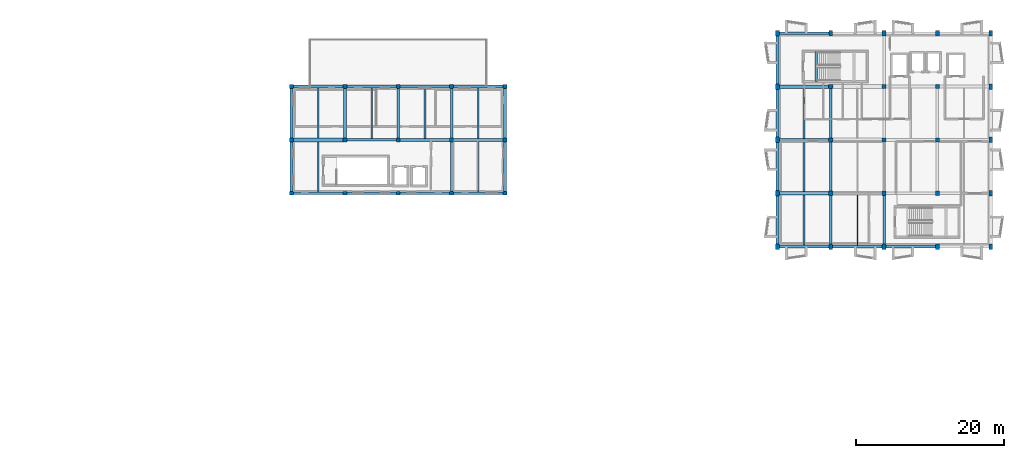
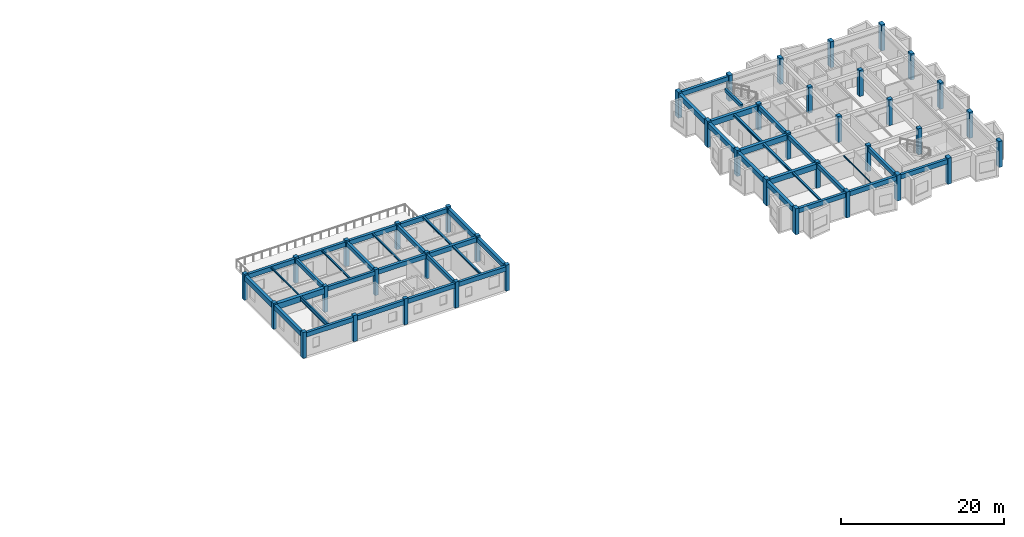
# One storey, part 1 of 12: 46 beams, 40 columns.
"""IFC4 building model written with IfcOpenShell, lengths in metres."""

from ifc_helpers import new_model, si_unit, direction, frame, origin, origin_2d, place, context, subcontext, project, spatial, rectangle, i_section, extrude, material, material_profile, profile_set, type_object, element, save


model = new_model("IFC4")

# Units and contexts
model_context = context("Model", 3, precision=1e-05, world=origin(), true_north=direction((0.0, 1.0)))
body_context = subcontext(model_context, "Body", "Model", "MODEL_VIEW")
ifc_project = project(units=[si_unit("LENGTHUNIT", "METRE"), si_unit("AREAUNIT", "SQUARE_METRE"), si_unit("VOLUMEUNIT", "CUBIC_METRE"), si_unit("PLANEANGLEUNIT", "RADIAN"), si_unit("MASSUNIT", "GRAM", prefix="KILO")], contexts=[model_context])

# Site, building, storey
site_placement = place(None, origin())
site = spatial("IfcSite", under=ifc_project, at=site_placement, CompositionType="ELEMENT")
building_placement = place(site_placement, origin())
building = spatial("IfcBuilding", under=site, at=building_placement, Name="Bramveld Media Centre", CompositionType="ELEMENT")
storey_placement = place(building_placement, frame((0.0, 0.0, 21.89990234375)))
storey = spatial("IfcBuildingStorey", under=building, at=storey_placement, Name="L05", CompositionType="ELEMENT", Elevation=21.89990234375)

# Columns
ifc_material_1 = material(Name="Concrete C40/50", Category="concrete")
ifc_material_profile_1 = material_profile(ifc_material_1, rectangle(XDim=0.5, YDim=0.75, at=origin_2d()), Name="RC 500x750")
ifc_profile_set_1 = profile_set([ifc_material_profile_1], Name="Concrete C40/50")
column_type_1 = type_object("IfcColumnType", Name="COL-EXT-RC-500x750", PredefinedType="COLUMN", material=ifc_profile_set_1)
for number, where, z_axis, x_axis, name in (
    (1, (131.199951171875, 83.199951171875, 0.0), (0.0, 0.0, 1.0), (1.0, 0.0, 0.0), "V7 L05 column RC 500x750"),
    (2, (131.199951171875, 90.39990234375, 0.0), (0.0, 0.0, 1.0), (1.0, 0.0, 0.0), "V7 L05 column RC 500x750"),
    (3, (131.199951171875, 97.60009765625, 0.0), (0.0, 0.0, 1.0), (1.0, 0.0, 0.0), "V7 L05 column RC 500x750"),
    (4, (131.199951171875, 104.800048828125, 0.0), (0.0, 0.0, 1.0), (1.0, 0.0, 0.0), "V7 L05 column RC 500x750"),
    (5, (131.199951171875, 112.0, 0.0), (0.0, 0.0, 1.0), (1.0, 0.0, 0.0), "V7 L05 column RC 500x750"),
    (6, (138.39990234375, 83.199951171875, 0.0), (0.0, 0.0, 1.0), (1.0, 0.0, 0.0), "V7 L05 column RC 500x750"),
    (7, (138.39990234375, 112.0, 0.0), (0.0, 0.0, 1.0), (1.0, 0.0, 0.0), "V7 L05 column RC 500x750"),
    (8, (145.60009765625, 83.199951171875, 0.0), (0.0, 0.0, 1.0), (1.0, 0.0, 0.0), "V7 L05 column RC 500x750"),
    (9, (145.60009765625, 112.0, 0.0), (0.0, 0.0, 1.0), (1.0, 0.0, 0.0), "V7 L05 column RC 500x750"),
    (10, (152.800048828125, 83.199951171875, 0.0), (0.0, 0.0, 1.0), (1.0, 0.0, 0.0), "V7 L05 column RC 500x750"),
    (11, (152.800048828125, 112.0, 0.0), (0.0, 0.0, 1.0), (1.0, 0.0, 0.0), "V7 L05 column RC 500x750"),
    (12, (160.0, 83.199951171875, 0.0), (0.0, 0.0, 1.0), (1.0, 0.0, 0.0), "V7 L05 column RC 500x750"),
    (13, (160.0, 90.39990234375, 0.0), (0.0, 0.0, 1.0), (1.0, 0.0, 0.0), "V7 L05 column RC 500x750"),
    (14, (160.0, 97.60009765625, 0.0), (0.0, 0.0, 1.0), (1.0, 0.0, 0.0), "V7 L05 column RC 500x750"),
    (15, (160.0, 104.800048828125, 0.0), (0.0, 0.0, 1.0), (1.0, 0.0, 0.0), "V7 L05 column RC 500x750"),
    (16, (160.0, 112.0, 0.0), (0.0, 0.0, 1.0), (1.0, 0.0, 0.0), "V7 L05 column RC 500x750"),
):
    element("IfcColumn", number, at=place(storey_placement, frame(where, z_axis=z_axis, x_axis=x_axis)), inside=storey, type_object=column_type_1, Name=name, PredefinedType="COLUMN", context=body_context, shape_type="SweptSolid", body=[
        extrude(rectangle(XDim=0.5, YDim=0.75, at=origin_2d()), origin(), (0.0, 0.0, 1.0), 3.900146484375),
    ])
ifc_material_2 = material(Name="Concrete C40/50", Category="concrete")
ifc_material_profile_2 = material_profile(ifc_material_2, rectangle(XDim=0.52001953125, YDim=0.52001953125, at=origin_2d()), Name="RC 520x520")
ifc_profile_set_2 = profile_set([ifc_material_profile_2], Name="Concrete C40/50")
column_type_2 = type_object("IfcColumnType", Name="COL-EXT-RC-520x520", PredefinedType="COLUMN", material=ifc_profile_set_2)
for number, where, z_axis, x_axis, name in (
    (17, (65.60009765625, 90.39990234375, 0.0), (0.0, 0.0, 1.0), (1.0, 0.0, 0.0), "V6 L05 column RC 520x520"),
    (18, (65.60009765625, 97.60009765625, 0.0), (0.0, 0.0, 1.0), (1.0, 0.0, 0.0), "V6 L05 column RC 520x520"),
    (19, (65.60009765625, 104.800048828125, 0.0), (0.0, 0.0, 1.0), (1.0, 0.0, 0.0), "V6 L05 column RC 520x520"),
    (20, (72.800048828125, 90.39990234375, 0.0), (0.0, 0.0, 1.0), (1.0, 0.0, 0.0), "V6 L05 column RC 520x520"),
    (21, (72.800048828125, 104.800048828125, 0.0), (0.0, 0.0, 1.0), (1.0, 0.0, 0.0), "V6 L05 column RC 520x520"),
    (22, (80.0, 90.39990234375, 0.0), (0.0, 0.0, 1.0), (1.0, 0.0, 0.0), "V6 L05 column RC 520x520"),
    (23, (80.0, 104.800048828125, 0.0), (0.0, 0.0, 1.0), (1.0, 0.0, 0.0), "V6 L05 column RC 520x520"),
    (24, (87.199951171875, 90.39990234375, 0.0), (0.0, 0.0, 1.0), (1.0, 0.0, 0.0), "V6 L05 column RC 520x520"),
    (25, (87.199951171875, 104.800048828125, 0.0), (0.0, 0.0, 1.0), (1.0, 0.0, 0.0), "V6 L05 column RC 520x520"),
    (26, (94.39990234375, 90.39990234375, 0.0), (0.0, 0.0, 1.0), (1.0, 0.0, 0.0), "V6 L05 column RC 520x520"),
    (27, (94.39990234375, 97.60009765625, 0.0), (0.0, 0.0, 1.0), (1.0, 0.0, 0.0), "V6 L05 column RC 520x520"),
    (28, (94.39990234375, 104.800048828125, 0.0), (0.0, 0.0, 1.0), (1.0, 0.0, 0.0), "V6 L05 column RC 520x520"),
):
    element("IfcColumn", number, at=place(storey_placement, frame(where, z_axis=z_axis, x_axis=x_axis)), inside=storey, type_object=column_type_2, Name=name, PredefinedType="COLUMN", context=body_context, shape_type="SweptSolid", body=[
        extrude(rectangle(XDim=0.52001953125, YDim=0.52001953125, at=origin_2d()), origin(), (0.0, 0.0, 1.0), 3.900146484375),
    ])
ifc_material_3 = material(Name="Concrete C40/50", Category="concrete")
ifc_material_profile_3 = material_profile(ifc_material_3, rectangle(XDim=0.5, YDim=0.5, at=origin_2d()), Name="RC 500x500")
ifc_profile_set_3 = profile_set([ifc_material_profile_3], Name="Concrete C40/50")
column_type_3 = type_object("IfcColumnType", Name="COL-INT-RC-500x500", PredefinedType="COLUMN", material=ifc_profile_set_3)
for number, where, z_axis, x_axis, name in (
    (29, (72.800048828125, 97.60009765625, 0.0), (0.0, 0.0, 1.0), (1.0, 0.0, 0.0), "V6 L05 column RC 500x500"),
    (30, (80.0, 97.60009765625, 0.0), (0.0, 0.0, 1.0), (1.0, 0.0, 0.0), "V6 L05 column RC 500x500"),
    (31, (87.199951171875, 97.60009765625, 0.0), (0.0, 0.0, 1.0), (1.0, 0.0, 0.0), "V6 L05 column RC 500x500"),
):
    element("IfcColumn", number, at=place(storey_placement, frame(where, z_axis=z_axis, x_axis=x_axis)), inside=storey, type_object=column_type_3, Name=name, PredefinedType="COLUMN", context=body_context, shape_type="SweptSolid", body=[
        extrude(rectangle(XDim=0.5, YDim=0.5, at=origin_2d()), origin(), (0.0, 0.0, 1.0), 3.900146484375),
    ])
ifc_material_4 = material(Name="Concrete C40/50", Category="concrete")
ifc_material_profile_4 = material_profile(ifc_material_4, rectangle(XDim=0.550048828125, YDim=0.550048828125, at=origin_2d()), Name="RC 550x550")
ifc_profile_set_4 = profile_set([ifc_material_profile_4], Name="Concrete C40/50")
column_type_4 = type_object("IfcColumnType", Name="COL-INT-RC-550x550", PredefinedType="COLUMN", material=ifc_profile_set_4)
for number, where, z_axis, x_axis, name in (
    (32, (138.39990234375, 90.39990234375, 0.0), (0.0, 0.0, 1.0), (1.0, 0.0, 0.0), "V7 L05 column RC 550x550"),
    (33, (138.39990234375, 97.60009765625, 0.0), (0.0, 0.0, 1.0), (1.0, 0.0, 0.0), "V7 L05 column RC 550x550"),
    (34, (138.39990234375, 104.800048828125, 0.0), (0.0, 0.0, 1.0), (1.0, 0.0, 0.0), "V7 L05 column RC 550x550"),
    (35, (145.60009765625, 90.39990234375, 0.0), (0.0, 0.0, 1.0), (1.0, 0.0, 0.0), "V7 L05 column RC 550x550"),
    (36, (145.60009765625, 97.60009765625, 0.0), (0.0, 0.0, 1.0), (1.0, 0.0, 0.0), "V7 L05 column RC 550x550"),
    (37, (145.60009765625, 104.800048828125, 0.0), (0.0, 0.0, 1.0), (1.0, 0.0, 0.0), "V7 L05 column RC 550x550"),
    (38, (152.800048828125, 90.39990234375, 0.0), (0.0, 0.0, 1.0), (1.0, 0.0, 0.0), "V7 L05 column RC 550x550"),
    (39, (152.800048828125, 97.60009765625, 0.0), (0.0, 0.0, 1.0), (1.0, 0.0, 0.0), "V7 L05 column RC 550x550"),
    (40, (152.800048828125, 104.800048828125, 0.0), (0.0, 0.0, 1.0), (1.0, 0.0, 0.0), "V7 L05 column RC 550x550"),
):
    element("IfcColumn", number, at=place(storey_placement, frame(where, z_axis=z_axis, x_axis=x_axis)), inside=storey, type_object=column_type_4, Name=name, PredefinedType="COLUMN", context=body_context, shape_type="SweptSolid", body=[
        extrude(rectangle(XDim=0.550048828125, YDim=0.550048828125, at=origin_2d()), origin(), (0.0, 0.0, 1.0), 3.900146484375),
    ])

# Beams
ifc_material_5 = material(Name="Concrete C40/50", Category="concrete")
ifc_material_profile_5 = material_profile(ifc_material_5, rectangle(XDim=0.300048828125, YDim=0.5, at=origin_2d()), Name="RC 300x500")
ifc_profile_set_5 = profile_set([ifc_material_profile_5], Name="Concrete C40/50")
beam_type_1 = type_object("IfcBeamType", Name="BM-INT-RC-300x500", PredefinedType="BEAM", material=ifc_profile_set_5)
beam_1_placement = place(storey_placement, frame((136.449951171875, 105.5, 3.650146484375), z_axis=(0.0, 1.0, 0.0), x_axis=(-1.0, 0.0, 0.0)))
element("IfcBeam", 41, at=beam_1_placement, inside=storey, type_object=beam_type_1, Name="ST-01 L06 stairwell landing trimmer beam", PredefinedType="BEAM", context=body_context, shape_type="SweptSolid", body=[
    extrude(rectangle(XDim=0.300048828125, YDim=0.5, at=origin_2d()), origin(), (0.0, 0.0, 1.0), 4.050048828125),
])
ifc_material_6 = material(Name="Concrete C40/50", Category="concrete")
ifc_material_profile_6 = material_profile(ifc_material_6, rectangle(XDim=0.35009765625, YDim=0.60009765625, at=origin_2d()), Name="RC 350x600")
ifc_profile_set_6 = profile_set([ifc_material_profile_6], Name="Concrete C40/50")
beam_type_2 = type_object("IfcBeamType", Name="BM-INT-RC-350x600", PredefinedType="BEAM", material=ifc_profile_set_6)
for number, where, z_axis, x_axis, name in (
    (42, (72.800048828125, 97.85009765625, 3.360107421875), (0.0, 1.0, 0.0), (-1.0, 0.0, 0.0), "V6 L05 girder Y-1230"),
    (43, (80.0, 97.85009765625, 3.360107421875), (0.0, 1.0, 0.0), (-1.0, 0.0, 0.0), "V6 L05 girder Y-1231"),
):
    element("IfcBeam", number, at=place(storey_placement, frame(where, z_axis=z_axis, x_axis=x_axis)), inside=storey, type_object=beam_type_2, Name=name, PredefinedType="BEAM", context=body_context, shape_type="SweptSolid", body=[
        extrude(rectangle(XDim=0.35009765625, YDim=0.60009765625, at=origin_2d()), origin(), (0.0, 0.0, 1.0), 6.68994140625),
    ])
beam_2_placement = place(storey_placement, frame((87.199951171875, 90.659912109375, 3.360107421875), z_axis=(0.0, 1.0, 0.0), x_axis=(-1.0, 0.0, 0.0)))
element("IfcBeam", 44, at=beam_2_placement, inside=storey, type_object=beam_type_2, Name="V6 L05 girder Y-1232", PredefinedType="BEAM", context=body_context, shape_type="SweptSolid", body=[
    extrude(rectangle(XDim=0.35009765625, YDim=0.60009765625, at=origin_2d()), origin(), (0.0, 0.0, 1.0), 6.690185546875),
])
beam_3_placement = place(storey_placement, frame((87.199951171875, 97.85009765625, 3.360107421875), z_axis=(0.0, 1.0, 0.0), x_axis=(-1.0, 0.0, 0.0)))
element("IfcBeam", 45, at=beam_3_placement, inside=storey, type_object=beam_type_2, Name="V6 L05 girder Y-1233", PredefinedType="BEAM", context=body_context, shape_type="SweptSolid", body=[
    extrude(rectangle(XDim=0.35009765625, YDim=0.60009765625, at=origin_2d()), origin(), (0.0, 0.0, 1.0), 6.68994140625),
])
beam_4_placement = place(storey_placement, frame((138.39990234375, 83.574951171875, 3.360107421875), z_axis=(0.0, 1.0, 0.0), x_axis=(-1.0, 0.0, 0.0)))
element("IfcBeam", 46, at=beam_4_placement, inside=storey, type_object=beam_type_2, Name="V7 L05 girder Y-1506", PredefinedType="BEAM", context=body_context, shape_type="SweptSolid", body=[
    extrude(rectangle(XDim=0.35009765625, YDim=0.60009765625, at=origin_2d()), origin(), (0.0, 0.0, 1.0), 6.550048828125),
])
for number, where, z_axis, x_axis, name in (
    (47, (138.39990234375, 90.675048828125, 3.360107421875), (0.0, 1.0, 0.0), (-1.0, 0.0, 0.0), "V7 L05 girder Y-1507"),
    (48, (138.39990234375, 97.875, 3.360107421875), (0.0, 1.0, 0.0), (-1.0, 0.0, 0.0), "V7 L05 girder Y-1508"),
):
    element("IfcBeam", number, at=place(storey_placement, frame(where, z_axis=z_axis, x_axis=x_axis)), inside=storey, type_object=beam_type_2, Name=name, PredefinedType="BEAM", context=body_context, shape_type="SweptSolid", body=[
        extrude(rectangle(XDim=0.35009765625, YDim=0.60009765625, at=origin_2d()), origin(), (0.0, 0.0, 1.0), 6.64990234375),
    ])
beam_5_placement = place(storey_placement, frame((145.60009765625, 83.574951171875, 3.360107421875), z_axis=(0.0, 1.0, 0.0), x_axis=(-1.0, 0.0, 0.0)))
element("IfcBeam", 49, at=beam_5_placement, inside=storey, type_object=beam_type_2, Name="V7 L05 girder Y-1509", PredefinedType="BEAM", context=body_context, shape_type="SweptSolid", body=[
    extrude(rectangle(XDim=0.35009765625, YDim=0.60009765625, at=origin_2d()), origin(), (0.0, 0.0, 1.0), 6.550048828125),
])
ifc_material_7 = material(Name="Concrete C40/50", Category="concrete")
ifc_material_profile_7 = material_profile(ifc_material_7, rectangle(XDim=0.35009765625, YDim=0.64990234375, at=origin_2d()), Name="RC 350x650")
ifc_profile_set_7 = profile_set([ifc_material_profile_7], Name="Concrete C40/50")
beam_type_3 = type_object("IfcBeamType", Name="BM-INT-RC-350x650", PredefinedType="BEAM", material=ifc_profile_set_7)
beam_6_placement = place(storey_placement, frame((73.050048828125, 97.60009765625, 3.335205078125), z_axis=(1.0, 0.0, 0.0), x_axis=(0.0, 1.0, 0.0)))
element("IfcBeam", 50, at=beam_6_placement, inside=storey, type_object=beam_type_3, Name="V6 L05 girder X-1221", PredefinedType="BEAM", context=body_context, shape_type="SweptSolid", body=[
    extrude(rectangle(XDim=0.35009765625, YDim=0.64990234375, at=origin_2d()), origin(), (0.0, 0.0, 1.0), 6.699951171875),
])
ifc_material_8 = material(Name="Concrete C40/50", Category="concrete")
ifc_material_profile_8 = material_profile(ifc_material_8, rectangle(XDim=0.39990234375, YDim=0.64990234375, at=origin_2d()), Name="RC 400x650")
ifc_profile_set_8 = profile_set([ifc_material_profile_8], Name="Concrete C40/50")
beam_type_4 = type_object("IfcBeamType", Name="BM-INT-RC-400x650", PredefinedType="BEAM", material=ifc_profile_set_8)
beam_7_placement = place(storey_placement, frame((80.25, 97.60009765625, 3.335205078125), z_axis=(1.0, 0.0, 0.0), x_axis=(0.0, 1.0, 0.0)))
element("IfcBeam", 51, at=beam_7_placement, inside=storey, type_object=beam_type_4, Name="V6 L05 girder X-1222", PredefinedType="BEAM", context=body_context, shape_type="SweptSolid", body=[
    extrude(rectangle(XDim=0.39990234375, YDim=0.64990234375, at=origin_2d()), origin(), (0.0, 0.0, 1.0), 6.699951171875),
])
ifc_material_9 = material(Name="Concrete C40/50", Category="concrete")
ifc_material_profile_9 = material_profile(ifc_material_9, rectangle(XDim=0.39990234375, YDim=0.699951171875, at=origin_2d()), Name="RC 400x700")
ifc_profile_set_9 = profile_set([ifc_material_profile_9], Name="Concrete C40/50")
beam_type_5 = type_object("IfcBeamType", Name="BM-INT-RC-400x700", PredefinedType="BEAM", material=ifc_profile_set_9)
beam_8_placement = place(storey_placement, frame((87.449951171875, 97.60009765625, 3.31005859375), z_axis=(1.0, 0.0, 0.0), x_axis=(0.0, 1.0, 0.0)))
element("IfcBeam", 52, at=beam_8_placement, inside=storey, type_object=beam_type_5, Name="V6 L05 girder X-1223", PredefinedType="BEAM", context=body_context, shape_type="SweptSolid", body=[
    extrude(rectangle(XDim=0.39990234375, YDim=0.699951171875, at=origin_2d()), origin(), (0.0, 0.0, 1.0), 6.68994140625),
])
ifc_material_10 = material(Name="Concrete C40/50", Category="concrete")
ifc_material_profile_10 = material_profile(ifc_material_10, rectangle(XDim=0.449951171875, YDim=0.800048828125, at=origin_2d()), Name="RC 450x800")
ifc_profile_set_10 = profile_set([ifc_material_profile_10], Name="Concrete C40/50")
beam_type_6 = type_object("IfcBeamType", Name="BM-INT-RC-450x800", PredefinedType="BEAM", material=ifc_profile_set_10)
for number, where, z_axis, x_axis, name in (
    (53, (131.449951171875, 90.39990234375, 3.260009765625), (1.0, 0.0, 0.0), (0.0, 1.0, 0.0), "V7 L05 girder X-1486"),
    (54, (131.449951171875, 97.60009765625, 3.260009765625), (1.0, 0.0, 0.0), (0.0, 1.0, 0.0), "V7 L05 girder X-1490"),
    (55, (131.449951171875, 104.800048828125, 3.260009765625), (1.0, 0.0, 0.0), (0.0, 1.0, 0.0), "V7 L05 girder X-1494"),
):
    element("IfcBeam", number, at=place(storey_placement, frame(where, z_axis=z_axis, x_axis=x_axis)), inside=storey, type_object=beam_type_6, Name=name, PredefinedType="BEAM", context=body_context, shape_type="SweptSolid", body=[
        extrude(rectangle(XDim=0.449951171875, YDim=0.800048828125, at=origin_2d()), origin(), (0.0, 0.0, 1.0), 6.675048828125),
    ])
ifc_material_11 = material(Name="Concrete C40/50", Category="concrete")
ifc_material_profile_11 = material_profile(ifc_material_11, rectangle(XDim=0.5, YDim=0.85009765625, at=origin_2d()), Name="RC 500x850")
ifc_profile_set_11 = profile_set([ifc_material_profile_11], Name="Concrete C40/50")
beam_type_7 = type_object("IfcBeamType", Name="BM-INT-RC-500x850", PredefinedType="BEAM", material=ifc_profile_set_11)
beam_9_placement = place(storey_placement, frame((65.860107421875, 97.60009765625, 3.235107421875), z_axis=(1.0, 0.0, 0.0), x_axis=(0.0, 1.0, 0.0)))
element("IfcBeam", 56, at=beam_9_placement, inside=storey, type_object=beam_type_7, Name="V6 L05 girder X-1220", PredefinedType="BEAM", context=body_context, shape_type="SweptSolid", body=[
    extrude(rectangle(XDim=0.5, YDim=0.85009765625, at=origin_2d()), origin(), (0.0, 0.0, 1.0), 6.68994140625),
])
ifc_material_12 = material(Name="Steel S355J2", Category="steel")
ifc_material_profile_12 = material_profile(ifc_material_12, i_section(OverallWidth=0.179931640625, OverallDepth=0.1708984375, WebThickness=0.006103515625, FlangeThickness=0.009521484375, FilletRadius=0.014892578125, at=origin_2d()), Name="HEA 180")
ifc_profile_set_12 = profile_set([ifc_material_profile_12], Name="Steel S355J2")
beam_type_8 = type_object("IfcBeamType", Name="SBM-INT-HEA-180", PredefinedType="BEAM", material=ifc_profile_set_12)
beam_10_placement = place(storey_placement, frame((69.199951171875, 97.85009765625, 3.57470703125), z_axis=(0.0, 1.0, 0.0), x_axis=(-1.0, 0.0, 0.0)))
element("IfcBeam", 57, at=beam_10_placement, inside=storey, type_object=beam_type_8, Name="V6 L05 secondary floor joist 1237", PredefinedType="BEAM", context=body_context, shape_type="SweptSolid", body=[
    extrude(i_section(OverallWidth=0.179931640625, OverallDepth=0.1708984375, WebThickness=0.006103515625, FlangeThickness=0.009521484375, FilletRadius=0.014892578125, at=origin_2d()), origin(), (0.0, 0.0, 1.0), 6.760009765625),
])
ifc_material_13 = material(Name="Steel S355J2", Category="steel")
ifc_material_profile_13 = material_profile(ifc_material_13, i_section(OverallWidth=0.199951171875, OverallDepth=0.18994140625, WebThickness=0.006591796875, FlangeThickness=0.010009765625, FilletRadius=0.01806640625, at=origin_2d()), Name="HEA 200")
ifc_profile_set_13 = profile_set([ifc_material_profile_13], Name="Steel S355J2")
beam_type_9 = type_object("IfcBeamType", Name="SBM-INT-HEA-200", PredefinedType="BEAM", material=ifc_profile_set_13)
beam_11_placement = place(storey_placement, frame((76.39990234375, 97.77490234375, 3.565185546875), z_axis=(0.0, 1.0, 0.0), x_axis=(-1.0, 0.0, 0.0)))
element("IfcBeam", 58, at=beam_11_placement, inside=storey, type_object=beam_type_9, Name="V6 L05 secondary floor joist 1238", PredefinedType="BEAM", context=body_context, shape_type="SweptSolid", body=[
    extrude(i_section(OverallWidth=0.199951171875, OverallDepth=0.18994140625, WebThickness=0.006591796875, FlangeThickness=0.010009765625, FilletRadius=0.01806640625, at=origin_2d()), origin(), (0.0, 0.0, 1.0), 6.835205078125),
])
ifc_material_14 = material(Name="Steel S355J2", Category="steel")
ifc_material_profile_14 = material_profile(ifc_material_14, i_section(OverallWidth=0.219970703125, OverallDepth=0.2099609375, WebThickness=0.007080078125, FlangeThickness=0.010986328125, FilletRadius=0.01806640625, at=origin_2d()), Name="HEA 220")
ifc_profile_set_14 = profile_set([ifc_material_profile_14], Name="Steel S355J2")
beam_type_10 = type_object("IfcBeamType", Name="SBM-INT-HEA-220", PredefinedType="BEAM", material=ifc_profile_set_14)
beam_12_placement = place(storey_placement, frame((83.60009765625, 97.800048828125, 3.55517578125), z_axis=(0.0, 1.0, 0.0), x_axis=(-1.0, 0.0, 0.0)))
element("IfcBeam", 59, at=beam_12_placement, inside=storey, type_object=beam_type_10, Name="V6 L05 secondary floor joist 1239", PredefinedType="BEAM", context=body_context, shape_type="SweptSolid", body=[
    extrude(i_section(OverallWidth=0.219970703125, OverallDepth=0.2099609375, WebThickness=0.007080078125, FlangeThickness=0.010986328125, FilletRadius=0.01806640625, at=origin_2d()), origin(), (0.0, 0.0, 1.0), 6.81005859375),
])
ifc_material_15 = material(Name="Steel S355J2", Category="steel")
ifc_material_profile_15 = material_profile(ifc_material_15, i_section(OverallWidth=0.239990234375, OverallDepth=0.22998046875, WebThickness=0.007568359375, FlangeThickness=0.011962890625, FilletRadius=0.02099609375, at=origin_2d()), Name="HEA 240")
ifc_profile_set_15 = profile_set([ifc_material_profile_15], Name="Steel S355J2")
beam_type_11 = type_object("IfcBeamType", Name="SBM-INT-HEA-240", PredefinedType="BEAM", material=ifc_profile_set_15)
beam_13_placement = place(storey_placement, frame((90.800048828125, 90.590087890625, 3.545166015625), z_axis=(0.0, 1.0, 0.0), x_axis=(-1.0, 0.0, 0.0)))
element("IfcBeam", 60, at=beam_13_placement, inside=storey, type_object=beam_type_11, Name="V6 L05 secondary floor joist 1240", PredefinedType="BEAM", context=body_context, shape_type="SweptSolid", body=[
    extrude(i_section(OverallWidth=0.239990234375, OverallDepth=0.22998046875, WebThickness=0.007568359375, FlangeThickness=0.011962890625, FilletRadius=0.02099609375, at=origin_2d()), origin(), (0.0, 0.0, 1.0), 6.809814453125),
])
ifc_material_16 = material(Name="Steel S355J2", Category="steel")
ifc_material_profile_16 = material_profile(ifc_material_16, i_section(OverallWidth=0.260009765625, OverallDepth=0.25, WebThickness=0.007568359375, FlangeThickness=0.012451171875, FilletRadius=0.02392578125, at=origin_2d()), Name="HEA 260")
ifc_profile_set_16 = profile_set([ifc_material_profile_16], Name="Steel S355J2")
beam_type_12 = type_object("IfcBeamType", Name="SBM-INT-HEA-260", PredefinedType="BEAM", material=ifc_profile_set_16)
beam_14_placement = place(storey_placement, frame((90.800048828125, 97.800048828125, 3.53515625), z_axis=(0.0, 1.0, 0.0), x_axis=(-1.0, 0.0, 0.0)))
element("IfcBeam", 61, at=beam_14_placement, inside=storey, type_object=beam_type_12, Name="V6 L05 secondary floor joist 1241", PredefinedType="BEAM", context=body_context, shape_type="SweptSolid", body=[
    extrude(i_section(OverallWidth=0.260009765625, OverallDepth=0.25, WebThickness=0.007568359375, FlangeThickness=0.012451171875, FilletRadius=0.02392578125, at=origin_2d()), origin(), (0.0, 0.0, 1.0), 6.81005859375),
])
ifc_material_17 = material(Name="Steel S355J2", Category="steel")
ifc_material_profile_17 = material_profile(ifc_material_17, i_section(OverallWidth=0.260009765625, OverallDepth=0.260009765625, WebThickness=0.010009765625, FlangeThickness=0.017578125, FilletRadius=0.02392578125, at=origin_2d()), Name="HEB 260")
ifc_profile_set_17 = profile_set([ifc_material_profile_17], Name="Steel S355J2")
beam_type_13 = type_object("IfcBeamType", Name="SBM-INT-HEB-260", PredefinedType="BEAM", material=ifc_profile_set_17)
beam_15_placement = place(storey_placement, frame((134.800048828125, 83.389892578125, 3.530029296875), z_axis=(0.0, 1.0, 0.0), x_axis=(-1.0, 0.0, 0.0)))
element("IfcBeam", 62, at=beam_15_placement, inside=storey, type_object=beam_type_13, Name="V7 L05 secondary floor joist 1519", PredefinedType="BEAM", context=body_context, shape_type="SweptSolid", body=[
    extrude(i_section(OverallWidth=0.260009765625, OverallDepth=0.260009765625, WebThickness=0.010009765625, FlangeThickness=0.017578125, FilletRadius=0.02392578125, at=origin_2d()), origin(), (0.0, 0.0, 1.0), 6.78515625),
])
ifc_material_18 = material(Name="Steel S355J2", Category="steel")
ifc_material_profile_18 = material_profile(ifc_material_18, i_section(OverallWidth=0.300048828125, OverallDepth=0.320068359375, WebThickness=0.011474609375, FlangeThickness=0.0205078125, FilletRadius=0.027099609375, at=origin_2d()), Name="HEB 320")
ifc_profile_set_18 = profile_set([ifc_material_profile_18], Name="Steel S355J2")
beam_type_14 = type_object("IfcBeamType", Name="SBM-INT-HEB-320", PredefinedType="BEAM", material=ifc_profile_set_18)
beam_16_placement = place(storey_placement, frame((134.800048828125, 90.625, 3.5), z_axis=(0.0, 1.0, 0.0), x_axis=(-1.0, 0.0, 0.0)))
element("IfcBeam", 63, at=beam_16_placement, inside=storey, type_object=beam_type_14, Name="V7 L05 secondary floor joist 1520", PredefinedType="BEAM", context=body_context, shape_type="SweptSolid", body=[
    extrude(i_section(OverallWidth=0.300048828125, OverallDepth=0.320068359375, WebThickness=0.011474609375, FlangeThickness=0.0205078125, FilletRadius=0.027099609375, at=origin_2d()), origin(), (0.0, 0.0, 1.0), 6.75),
])
ifc_material_19 = material(Name="Steel S355J2", Category="steel")
ifc_material_profile_19 = material_profile(ifc_material_19, i_section(OverallWidth=0.300048828125, OverallDepth=0.360107421875, WebThickness=0.012451171875, FlangeThickness=0.0224609375, FilletRadius=0.027099609375, at=origin_2d()), Name="HEB 360")
ifc_profile_set_19 = profile_set([ifc_material_profile_19], Name="Steel S355J2")
beam_type_15 = type_object("IfcBeamType", Name="SBM-INT-HEB-360", PredefinedType="BEAM", material=ifc_profile_set_19)
beam_17_placement = place(storey_placement, frame((134.800048828125, 97.824951171875, 3.47998046875), z_axis=(0.0, 1.0, 0.0), x_axis=(-1.0, 0.0, 0.0)))
element("IfcBeam", 64, at=beam_17_placement, inside=storey, type_object=beam_type_15, Name="V7 L05 secondary floor joist 1521", PredefinedType="BEAM", context=body_context, shape_type="SweptSolid", body=[
    extrude(i_section(OverallWidth=0.300048828125, OverallDepth=0.360107421875, WebThickness=0.012451171875, FlangeThickness=0.0224609375, FilletRadius=0.027099609375, at=origin_2d()), origin(), (0.0, 0.0, 1.0), 6.75),
])
ifc_material_20 = material(Name="Steel S355J2", Category="steel")
ifc_material_profile_20 = material_profile(ifc_material_20, i_section(OverallWidth=0.091064453125, OverallDepth=0.179931640625, WebThickness=0.00537109375, FlangeThickness=0.008056640625, FilletRadius=0.009033203125, at=origin_2d()), Name="IPE 180")
ifc_profile_set_20 = profile_set([ifc_material_profile_20], Name="Steel S355J2")
beam_type_16 = type_object("IfcBeamType", Name="SBM-INT-IPE-180", PredefinedType="JOIST", material=ifc_profile_set_20)
beam_18_placement = place(storey_placement, frame((142.0, 83.389892578125, 3.570068359375), z_axis=(0.0, 1.0, 0.0), x_axis=(-1.0, 0.0, 0.0)))
element("IfcBeam", 65, at=beam_18_placement, inside=storey, type_object=beam_type_16, Name="V7 L05 secondary floor joist 1522", PredefinedType="JOIST", context=body_context, shape_type="SweptSolid", body=[
    extrude(i_section(OverallWidth=0.091064453125, OverallDepth=0.179931640625, WebThickness=0.00537109375, FlangeThickness=0.008056640625, FilletRadius=0.009033203125, at=origin_2d()), origin(), (0.0, 0.0, 1.0), 6.760009765625),
])
ifc_material_21 = material(Name="Steel S355J2", Category="steel")
ifc_material_profile_21 = material_profile(ifc_material_21, i_section(OverallWidth=0.219970703125, OverallDepth=0.60009765625, WebThickness=0.011962890625, FlangeThickness=0.01904296875, FilletRadius=0.02392578125, at=origin_2d()), Name="IPE 600")
ifc_profile_set_21 = profile_set([ifc_material_profile_21], Name="Steel S355J2")
beam_type_17 = type_object("IfcBeamType", Name="SBM-INT-IPE-600", PredefinedType="BEAM", material=ifc_profile_set_21)
beam_19_placement = place(storey_placement, frame((69.199951171875, 90.590087890625, 3.360107421875), z_axis=(0.0, 1.0, 0.0), x_axis=(-1.0, 0.0, 0.0)))
element("IfcBeam", 66, at=beam_19_placement, inside=storey, type_object=beam_type_17, Name="V6 L05 secondary floor joist 1236", PredefinedType="BEAM", context=body_context, shape_type="SweptSolid", body=[
    extrude(i_section(OverallWidth=0.219970703125, OverallDepth=0.60009765625, WebThickness=0.011962890625, FlangeThickness=0.01904296875, FilletRadius=0.02392578125, at=origin_2d()), origin(), (0.0, 0.0, 1.0), 6.760009765625),
])
ifc_material_22 = material(Name="Concrete C40/50", Category="concrete")
ifc_material_profile_22 = material_profile(ifc_material_22, rectangle(XDim=0.3798828125, YDim=0.679931640625, at=origin_2d()), Name="RC 380x680")
ifc_profile_set_22 = profile_set([ifc_material_profile_22], Name="Concrete C40/50")
beam_type_18 = type_object("IfcBeamType", Name="SPANDREL-EXT-RC-380x680", PredefinedType="SPANDREL", material=ifc_profile_set_22)
for number, where, z_axis, x_axis, name in (
    (67, (65.860107421875, 90.39990234375, 3.320068359375), (1.0, 0.0, 0.0), (0.0, 1.0, 0.0), "V6 L05 girder X-1216"),
    (68, (73.06005859375, 90.39990234375, 3.320068359375), (1.0, 0.0, 0.0), (0.0, 1.0, 0.0), "V6 L05 girder X-1217"),
    (69, (80.260009765625, 90.39990234375, 3.320068359375), (1.0, 0.0, 0.0), (0.0, 1.0, 0.0), "V6 L05 girder X-1218"),
    (70, (87.4599609375, 90.39990234375, 3.320068359375), (1.0, 0.0, 0.0), (0.0, 1.0, 0.0), "V6 L05 girder X-1219"),
    (71, (65.860107421875, 104.800048828125, 3.320068359375), (1.0, 0.0, 0.0), (0.0, 1.0, 0.0), "V6 L05 girder X-1224"),
    (72, (73.06005859375, 104.800048828125, 3.320068359375), (1.0, 0.0, 0.0), (0.0, 1.0, 0.0), "V6 L05 girder X-1225"),
    (73, (80.260009765625, 104.800048828125, 3.320068359375), (1.0, 0.0, 0.0), (0.0, 1.0, 0.0), "V6 L05 girder X-1226"),
    (74, (87.4599609375, 104.800048828125, 3.320068359375), (1.0, 0.0, 0.0), (0.0, 1.0, 0.0), "V6 L05 girder X-1227"),
):
    element("IfcBeam", number, at=place(storey_placement, frame(where, z_axis=z_axis, x_axis=x_axis)), inside=storey, type_object=beam_type_18, Name=name, PredefinedType="SPANDREL", context=body_context, shape_type="SweptSolid", body=[
        extrude(rectangle(XDim=0.3798828125, YDim=0.679931640625, at=origin_2d()), origin(), (0.0, 0.0, 1.0), 6.679931640625),
    ])
beam_20_placement = place(storey_placement, frame((131.449951171875, 83.199951171875, 3.320068359375), z_axis=(1.0, 0.0, 0.0), x_axis=(0.0, 1.0, 0.0)))
element("IfcBeam", 75, at=beam_20_placement, inside=storey, type_object=beam_type_18, Name="V7 L05 girder X-1482", PredefinedType="SPANDREL", context=body_context, shape_type="SweptSolid", body=[
    extrude(rectangle(XDim=0.3798828125, YDim=0.679931640625, at=origin_2d()), origin(), (0.0, 0.0, 1.0), 6.699951171875),
])
beam_21_placement = place(storey_placement, frame((138.64990234375, 83.199951171875, 3.320068359375), z_axis=(1.0, 0.0, 0.0), x_axis=(0.0, 1.0, 0.0)))
element("IfcBeam", 76, at=beam_21_placement, inside=storey, type_object=beam_type_18, Name="V7 L05 girder X-1483", PredefinedType="SPANDREL", context=body_context, shape_type="SweptSolid", body=[
    extrude(rectangle(XDim=0.3798828125, YDim=0.679931640625, at=origin_2d()), origin(), (0.0, 0.0, 1.0), 6.7001953125),
])
for number, where, z_axis, x_axis, name in (
    (77, (145.85009765625, 83.199951171875, 3.320068359375), (1.0, 0.0, 0.0), (0.0, 1.0, 0.0), "V7 L05 girder X-1484"),
    (78, (131.449951171875, 112.0, 3.320068359375), (1.0, 0.0, 0.0), (0.0, 1.0, 0.0), "V7 L05 girder X-1498"),
):
    element("IfcBeam", number, at=place(storey_placement, frame(where, z_axis=z_axis, x_axis=x_axis)), inside=storey, type_object=beam_type_18, Name=name, PredefinedType="SPANDREL", context=body_context, shape_type="SweptSolid", body=[
        extrude(rectangle(XDim=0.3798828125, YDim=0.679931640625, at=origin_2d()), origin(), (0.0, 0.0, 1.0), 6.699951171875),
    ])
ifc_material_23 = material(Name="Concrete C40/50", Category="concrete")
ifc_material_profile_23 = material_profile(ifc_material_23, rectangle(XDim=0.419921875, YDim=0.719970703125, at=origin_2d()), Name="RC 420x720")
ifc_profile_set_23 = profile_set([ifc_material_profile_23], Name="Concrete C40/50")
beam_type_19 = type_object("IfcBeamType", Name="SPANDREL-EXT-RC-420x720", PredefinedType="SPANDREL", material=ifc_profile_set_23)
beam_22_placement = place(storey_placement, frame((65.60009765625, 90.659912109375, 3.300048828125), z_axis=(0.0, 1.0, 0.0), x_axis=(-1.0, 0.0, 0.0)))
element("IfcBeam", 79, at=beam_22_placement, inside=storey, type_object=beam_type_19, Name="V6 L05 girder Y-1228", PredefinedType="SPANDREL", context=body_context, shape_type="SweptSolid", body=[
    extrude(rectangle(XDim=0.419921875, YDim=0.719970703125, at=origin_2d()), origin(), (0.0, 0.0, 1.0), 6.68017578125),
])
beam_23_placement = place(storey_placement, frame((65.60009765625, 97.860107421875, 3.300048828125), z_axis=(0.0, 1.0, 0.0), x_axis=(-1.0, 0.0, 0.0)))
element("IfcBeam", 80, at=beam_23_placement, inside=storey, type_object=beam_type_19, Name="V6 L05 girder Y-1229", PredefinedType="SPANDREL", context=body_context, shape_type="SweptSolid", body=[
    extrude(rectangle(XDim=0.419921875, YDim=0.719970703125, at=origin_2d()), origin(), (0.0, 0.0, 1.0), 6.679931640625),
])
beam_24_placement = place(storey_placement, frame((94.39990234375, 90.659912109375, 3.300048828125), z_axis=(0.0, 1.0, 0.0), x_axis=(-1.0, 0.0, 0.0)))
element("IfcBeam", 81, at=beam_24_placement, inside=storey, type_object=beam_type_19, Name="V6 L05 girder Y-1234", PredefinedType="SPANDREL", context=body_context, shape_type="SweptSolid", body=[
    extrude(rectangle(XDim=0.419921875, YDim=0.719970703125, at=origin_2d()), origin(), (0.0, 0.0, 1.0), 6.68017578125),
])
beam_25_placement = place(storey_placement, frame((94.39990234375, 97.860107421875, 3.300048828125), z_axis=(0.0, 1.0, 0.0), x_axis=(-1.0, 0.0, 0.0)))
element("IfcBeam", 82, at=beam_25_placement, inside=storey, type_object=beam_type_19, Name="V6 L05 girder Y-1235", PredefinedType="SPANDREL", context=body_context, shape_type="SweptSolid", body=[
    extrude(rectangle(XDim=0.419921875, YDim=0.719970703125, at=origin_2d()), origin(), (0.0, 0.0, 1.0), 6.679931640625),
])
beam_26_placement = place(storey_placement, frame((131.199951171875, 83.574951171875, 3.300048828125), z_axis=(0.0, 1.0, 0.0), x_axis=(-1.0, 0.0, 0.0)))
element("IfcBeam", 83, at=beam_26_placement, inside=storey, type_object=beam_type_19, Name="V7 L05 girder Y-1502", PredefinedType="SPANDREL", context=body_context, shape_type="SweptSolid", body=[
    extrude(rectangle(XDim=0.419921875, YDim=0.719970703125, at=origin_2d()), origin(), (0.0, 0.0, 1.0), 6.449951171875),
])
beam_27_placement = place(storey_placement, frame((131.199951171875, 90.77490234375, 3.300048828125), z_axis=(0.0, 1.0, 0.0), x_axis=(-1.0, 0.0, 0.0)))
element("IfcBeam", 84, at=beam_27_placement, inside=storey, type_object=beam_type_19, Name="V7 L05 girder Y-1503", PredefinedType="SPANDREL", context=body_context, shape_type="SweptSolid", body=[
    extrude(rectangle(XDim=0.419921875, YDim=0.719970703125, at=origin_2d()), origin(), (0.0, 0.0, 1.0), 6.4501953125),
])
for number, where, z_axis, x_axis, name in (
    (85, (131.199951171875, 97.97509765625, 3.300048828125), (0.0, 1.0, 0.0), (-1.0, 0.0, 0.0), "V7 L05 girder Y-1504"),
    (86, (131.199951171875, 105.175048828125, 3.300048828125), (0.0, 1.0, 0.0), (-1.0, 0.0, 0.0), "V7 L05 girder Y-1505"),
):
    element("IfcBeam", number, at=place(storey_placement, frame(where, z_axis=z_axis, x_axis=x_axis)), inside=storey, type_object=beam_type_19, Name=name, PredefinedType="SPANDREL", context=body_context, shape_type="SweptSolid", body=[
        extrude(rectangle(XDim=0.419921875, YDim=0.719970703125, at=origin_2d()), origin(), (0.0, 0.0, 1.0), 6.449951171875),
    ])

save(model, "model.ifc")
